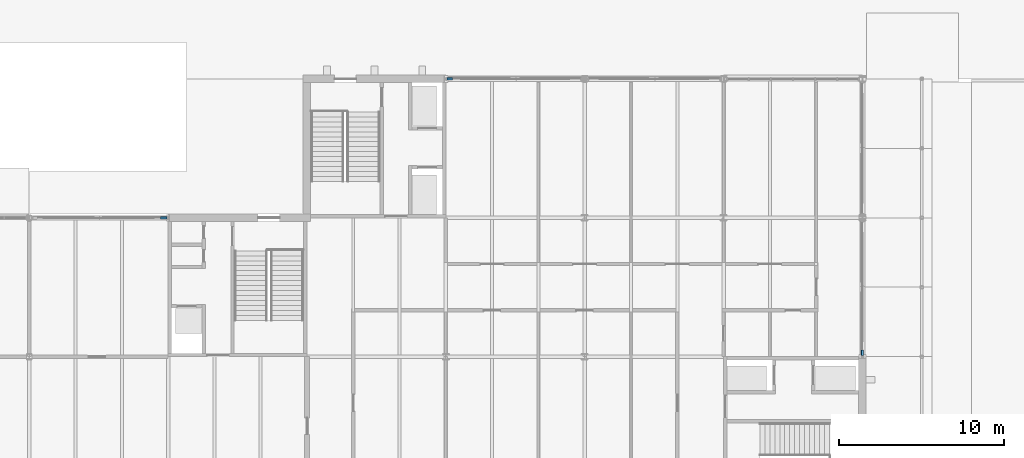
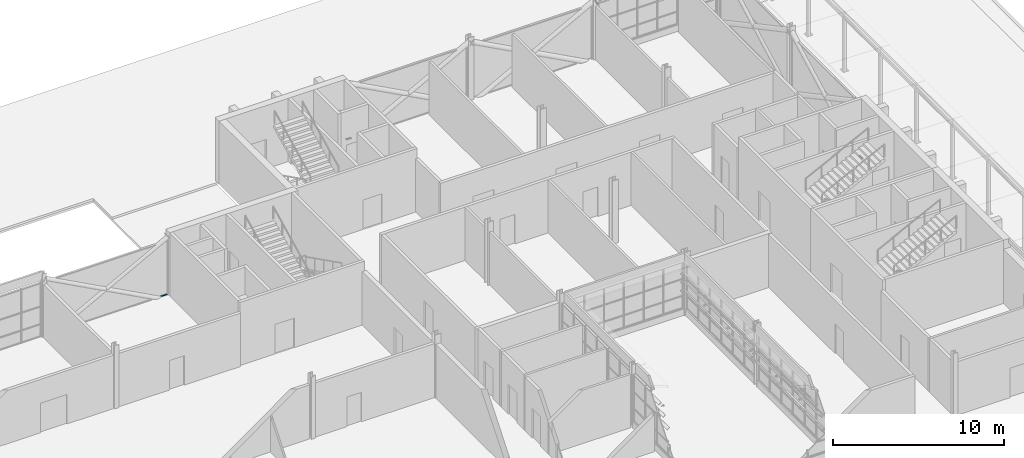
# One storey, part 70 of 116: 3 members, 3 elements without a shape of their own.
"""IFC4 building model written with IfcOpenShell, lengths in metres."""

from ifc_helpers import new_model, si_unit, direction, frame, origin, origin_2d, place, context, subcontext, project, spatial, rectangle, extrude, material, layer, layer_set, material_profile, profile_set, type_object, element, aggregate, save


model = new_model("IFC4")

# Units and contexts
model_context = context("Model", 3, precision=1e-05, world=origin(), true_north=direction((0.0, 1.0)))
body_context = subcontext(model_context, "Body", "Model", "MODEL_VIEW")
ifc_project = project(units=[si_unit("LENGTHUNIT", "METRE"), si_unit("AREAUNIT", "SQUARE_METRE"), si_unit("VOLUMEUNIT", "CUBIC_METRE"), si_unit("PLANEANGLEUNIT", "RADIAN"), si_unit("MASSUNIT", "GRAM", prefix="KILO")], contexts=[model_context])

# Site, building, storey
site_placement = place(None, origin())
site = spatial("IfcSite", under=ifc_project, at=site_placement, CompositionType="ELEMENT")
building_placement = place(site_placement, origin())
building = spatial("IfcBuilding", under=site, at=building_placement, Name="Ardhachandra Cancer Care Centre", CompositionType="ELEMENT")
storey_placement = place(building_placement, origin())
storey = spatial("IfcBuildingStorey", under=building, at=storey_placement, Name="L00", CompositionType="ELEMENT", Elevation=0.0)

# Curtain wall, member
ifc_material_1 = material(Name="Aluminium extrusion", Category="aluminium")
ifc_layer = layer(ifc_material_1, 0.14990234375)
ifc_layer_set = layer_set([ifc_layer], Name="Aluminium extrusion")
curtain_wall_type = type_object("IfcCurtainWallType", Name="Curtain wall run", PredefinedType="NOTDEFINED", material=ifc_layer_set)
curtain_wall_1_placement = place(storey_placement, origin())
curtain_wall_1 = element("IfcCurtainWall", 1, at=curtain_wall_1_placement, inside=storey, type_object=curtain_wall_type, Name="Curtain wall L00 e/0145200_0088200", PredefinedType="NOTDEFINED")
ifc_material_2 = material(Name="Aluminium extrusion", Category="aluminium")
ifc_material_profile = material_profile(ifc_material_2, rectangle(XDim=0.1201171875, YDim=0.06005859375, at=origin_2d()), Name="Curtain wall transom 60 x 120")
ifc_profile_set = profile_set([ifc_material_profile], Name="Aluminium extrusion")
member_type = type_object("IfcMemberType", Name="Curtain wall transom 60 x 120", PredefinedType="USERDEFINED", material=ifc_profile_set)
member_1_placement = place(storey_placement, frame((145.199951171875, 88.260009765625, 0.030029296875), z_axis=(0.0, 1.0, 0.0), x_axis=(-1.0, 0.0, 0.0)))
member_1 = element("IfcMember", 2, at=member_1_placement, type_object=member_type, Name="CW transom 1.1", ObjectType="TRANSOM", PredefinedType="USERDEFINED", context=body_context, shape_type="SweptSolid", body=[
    extrude(rectangle(XDim=0.1201171875, YDim=0.06005859375, at=origin_2d()), origin(), (0.0, 0.0, 1.0), 0.341552734375),
])
aggregate(curtain_wall_1, [member_1])

curtain_wall_2_placement = place(storey_placement, origin())
curtain_wall_2 = element("IfcCurtainWall", 3, at=curtain_wall_2_placement, inside=storey, type_object=curtain_wall_type, Name="Curtain wall L00 n/0094800_0096600", PredefinedType="NOTDEFINED")
member_2_placement = place(storey_placement, frame((102.74462890625, 96.60009765625, 0.030029296875), z_axis=(1.0, 0.0, 0.0), x_axis=(0.0, 1.0, 0.0)))
member_2 = element("IfcMember", 4, at=member_2_placement, type_object=member_type, Name="CW transom 1.1", ObjectType="TRANSOM", PredefinedType="USERDEFINED", context=body_context, shape_type="SweptSolid", body=[
    extrude(rectangle(XDim=0.1201171875, YDim=0.06005859375, at=origin_2d()), origin(), (0.0, 0.0, 1.0), 0.395263671875),
])
aggregate(curtain_wall_2, [member_2])

curtain_wall_3_placement = place(storey_placement, origin())
curtain_wall_3 = element("IfcCurtainWall", 5, at=curtain_wall_3_placement, inside=storey, type_object=curtain_wall_type, Name="Curtain wall L00 n/0120000_0105000", PredefinedType="NOTDEFINED")
member_3_placement = place(storey_placement, frame((120.06005859375, 105.0, 0.030029296875), z_axis=(1.0, 0.0, 0.0), x_axis=(0.0, 1.0, 0.0)))
member_3 = element("IfcMember", 6, at=member_3_placement, type_object=member_type, Name="CW transom 1.1", ObjectType="TRANSOM", PredefinedType="USERDEFINED", context=body_context, shape_type="SweptSolid", body=[
    extrude(rectangle(XDim=0.1201171875, YDim=0.06005859375, at=origin_2d()), origin(), (0.0, 0.0, 1.0), 0.341552734375),
])
aggregate(curtain_wall_3, [member_3])

save(model, "model.ifc")
